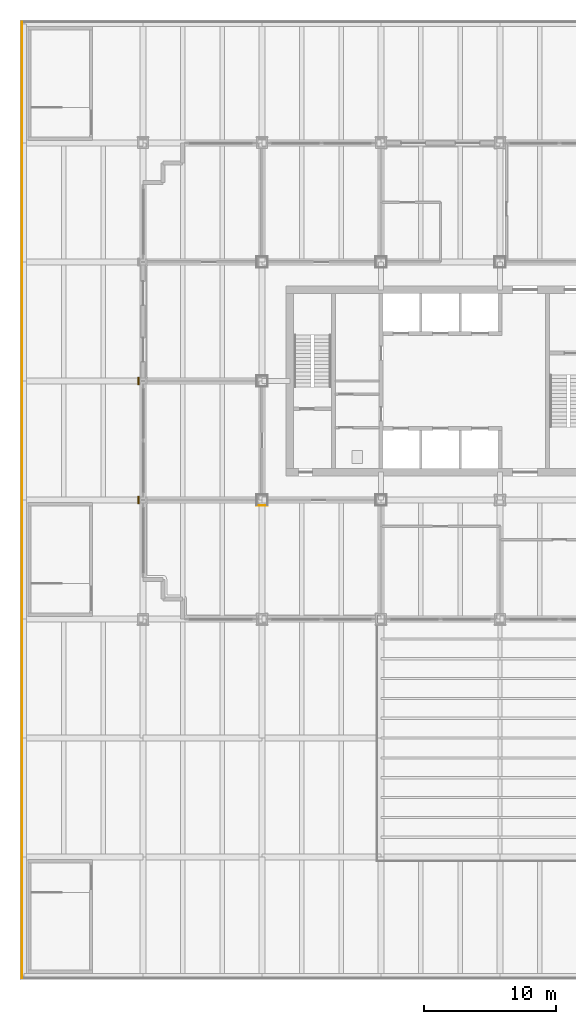
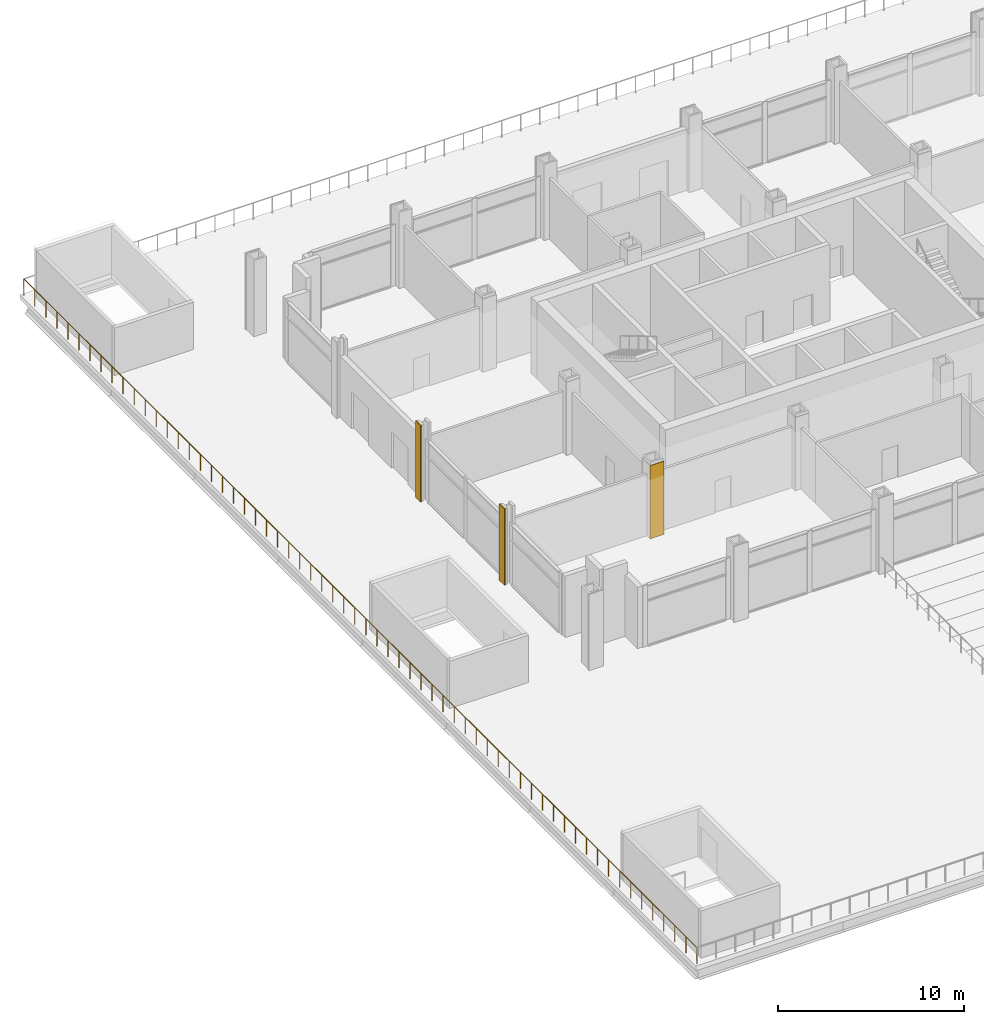
# One storey, part 13 of 16: 3 coverings, 1 railing.
"""IFC4 building model written with IfcOpenShell, lengths in metres."""

from ifc_helpers import new_model, si_unit, direction, frame, origin, origin_2d, place, context, subcontext, project, spatial, rectangle, circle, extrude, material, layer, layer_set, type_object, element, save


model = new_model("IFC4")

# Units and contexts
model_context = context("Model", 3, precision=1e-05, world=origin(), true_north=direction((0.0, 1.0)))
body_context = subcontext(model_context, "Body", "Model", "MODEL_VIEW")
ifc_project = project(units=[si_unit("LENGTHUNIT", "METRE"), si_unit("AREAUNIT", "SQUARE_METRE"), si_unit("VOLUMEUNIT", "CUBIC_METRE"), si_unit("PLANEANGLEUNIT", "RADIAN"), si_unit("MASSUNIT", "GRAM", prefix="KILO")], contexts=[model_context])

# Site, building, storey
site_placement = place(None, origin())
site = spatial("IfcSite", under=ifc_project, at=site_placement, CompositionType="ELEMENT")
building_placement = place(site_placement, origin())
building = spatial("IfcBuilding", under=site, at=building_placement, Name="Loomwork Tower", CompositionType="ELEMENT")
storey_placement = place(building_placement, frame((0.0, 0.0, 23.0)))
storey = spatial("IfcBuildingStorey", under=building, at=storey_placement, Name="L04", CompositionType="ELEMENT", Elevation=23.0)

# Covering
ifc_material_1 = material(Name="Two-hour fire-rated gypsum board casing")
ifc_layer_1 = layer(ifc_material_1, 0.02490234375)
ifc_layer_set_1 = layer_set([ifc_layer_1], Name="Column fire casing 25")
covering_type_1 = type_object("IfcCoveringType", Name="Column fire casing 25", PredefinedType="CLADDING", material=ifc_layer_set_1)
covering_placement = place(storey_placement, frame((9.0, 8.58740234375, 0.0), z_axis=(0.0, 0.0, 1.0), x_axis=(1.0, 0.0, 0.0)))
element("IfcCovering", 1, at=covering_placement, inside=storey, type_object=covering_type_1, Name="Column casing 9 9 L04", PredefinedType="CLADDING", context=body_context, shape_type="SweptSolid", body=[
    extrude(rectangle(XDim=0.85009765625, YDim=0.02490234375, at=origin_2d()), origin(), (0.0, 0.0, 1.0), 4.800048828125),
])

# Railing
ifc_material_2 = material(Name="Stainless steel and laminated glass guard", Category="steel")
railing_type = type_object("IfcRailingType", Name="Guard 1100", PredefinedType="GUARDRAIL", material=ifc_material_2)
railing_placement = place(storey_placement, frame((-9.14990234375, 45.14990234375, 0.0)))
element("IfcRailing", 2, at=railing_placement, inside=storey, type_object=railing_type, Name="Terrace edge guard W", PredefinedType="GUARDRAIL", context=body_context, shape_type="SweptSolid", body=[
    extrude(circle(Radius=0.02392578125, at=origin_2d()), frame((0.0, 0.0, 1.076171875), z_axis=(0.0, -1.0, 0.0), x_axis=(1.0, 0.0, 0.0)), (0.0, 0.0, 1.0), 72.2998046875),
    extrude(circle(Radius=0.02099609375, at=origin_2d()), origin(), (0.0, 0.0, 1.0), 1.052001953125),
    extrude(circle(Radius=0.02099609375, at=origin_2d()), frame((0.0, -1.185302734375, 0.0)), (0.0, 0.0, 1.0), 1.052001953125),
    extrude(circle(Radius=0.02099609375, at=origin_2d()), frame((0.0, -2.37060546875, 0.0)), (0.0, 0.0, 1.0), 1.052001953125),
    extrude(circle(Radius=0.02099609375, at=origin_2d()), frame((0.0, -3.5556640625, 0.0)), (0.0, 0.0, 1.0), 1.052001953125),
    extrude(circle(Radius=0.02099609375, at=origin_2d()), frame((0.0, -4.740966796875, 0.0)), (0.0, 0.0, 1.0), 1.052001953125),
    extrude(circle(Radius=0.02099609375, at=origin_2d()), frame((0.0, -5.92626953125, 0.0)), (0.0, 0.0, 1.0), 1.052001953125),
    extrude(circle(Radius=0.02099609375, at=origin_2d()), frame((0.0, -7.111572265625, 0.0)), (0.0, 0.0, 1.0), 1.052001953125),
    extrude(circle(Radius=0.02099609375, at=origin_2d()), frame((0.0, -8.296630859375, 0.0)), (0.0, 0.0, 1.0), 1.052001953125),
    extrude(circle(Radius=0.02099609375, at=origin_2d()), frame((0.0, -9.48193359375, 0.0)), (0.0, 0.0, 1.0), 1.052001953125),
    extrude(circle(Radius=0.02099609375, at=origin_2d()), frame((0.0, -10.667236328125, 0.0)), (0.0, 0.0, 1.0), 1.052001953125),
    extrude(circle(Radius=0.02099609375, at=origin_2d()), frame((0.0, -11.8525390625, 0.0)), (0.0, 0.0, 1.0), 1.052001953125),
    extrude(circle(Radius=0.02099609375, at=origin_2d()), frame((0.0, -13.03759765625, 0.0)), (0.0, 0.0, 1.0), 1.052001953125),
    extrude(circle(Radius=0.02099609375, at=origin_2d()), frame((0.0, -14.222900390625, 0.0)), (0.0, 0.0, 1.0), 1.052001953125),
    extrude(circle(Radius=0.02099609375, at=origin_2d()), frame((0.0, -15.408203125, 0.0)), (0.0, 0.0, 1.0), 1.052001953125),
    extrude(circle(Radius=0.02099609375, at=origin_2d()), frame((0.0, -16.593505859375, 0.0)), (0.0, 0.0, 1.0), 1.052001953125),
    extrude(circle(Radius=0.02099609375, at=origin_2d()), frame((0.0, -17.778564453125, 0.0)), (0.0, 0.0, 1.0), 1.052001953125),
    extrude(circle(Radius=0.02099609375, at=origin_2d()), frame((0.0, -18.9638671875, 0.0)), (0.0, 0.0, 1.0), 1.052001953125),
    extrude(circle(Radius=0.02099609375, at=origin_2d()), frame((0.0, -20.149169921875, 0.0)), (0.0, 0.0, 1.0), 1.052001953125),
    extrude(circle(Radius=0.02099609375, at=origin_2d()), frame((0.0, -21.33447265625, 0.0)), (0.0, 0.0, 1.0), 1.052001953125),
    extrude(circle(Radius=0.02099609375, at=origin_2d()), frame((0.0, -22.51953125, 0.0)), (0.0, 0.0, 1.0), 1.052001953125),
    extrude(circle(Radius=0.02099609375, at=origin_2d()), frame((0.0, -23.704833984375, 0.0)), (0.0, 0.0, 1.0), 1.052001953125),
    extrude(circle(Radius=0.02099609375, at=origin_2d()), frame((0.0, -24.89013671875, 0.0)), (0.0, 0.0, 1.0), 1.052001953125),
    extrude(circle(Radius=0.02099609375, at=origin_2d()), frame((0.0, -26.075439453125, 0.0)), (0.0, 0.0, 1.0), 1.052001953125),
    extrude(circle(Radius=0.02099609375, at=origin_2d()), frame((0.0, -27.260498046875, 0.0)), (0.0, 0.0, 1.0), 1.052001953125),
    extrude(circle(Radius=0.02099609375, at=origin_2d()), frame((0.0, -28.44580078125, 0.0)), (0.0, 0.0, 1.0), 1.052001953125),
    extrude(circle(Radius=0.02099609375, at=origin_2d()), frame((0.0, -29.631103515625, 0.0)), (0.0, 0.0, 1.0), 1.052001953125),
    extrude(circle(Radius=0.02099609375, at=origin_2d()), frame((0.0, -30.81640625, 0.0)), (0.0, 0.0, 1.0), 1.052001953125),
    extrude(circle(Radius=0.02099609375, at=origin_2d()), frame((0.0, -32.00146484375, 0.0)), (0.0, 0.0, 1.0), 1.052001953125),
    extrude(circle(Radius=0.02099609375, at=origin_2d()), frame((0.0, -33.186767578125, 0.0)), (0.0, 0.0, 1.0), 1.052001953125),
    extrude(circle(Radius=0.02099609375, at=origin_2d()), frame((0.0, -34.3720703125, 0.0)), (0.0, 0.0, 1.0), 1.052001953125),
    extrude(circle(Radius=0.02099609375, at=origin_2d()), frame((0.0, -35.557373046875, 0.0)), (0.0, 0.0, 1.0), 1.052001953125),
    extrude(circle(Radius=0.02099609375, at=origin_2d()), frame((0.0, -36.742431640625, 0.0)), (0.0, 0.0, 1.0), 1.052001953125),
    extrude(circle(Radius=0.02099609375, at=origin_2d()), frame((0.0, -37.927734375, 0.0)), (0.0, 0.0, 1.0), 1.052001953125),
    extrude(circle(Radius=0.02099609375, at=origin_2d()), frame((0.0, -39.113037109375, 0.0)), (0.0, 0.0, 1.0), 1.052001953125),
    extrude(circle(Radius=0.02099609375, at=origin_2d()), frame((0.0, -40.29833984375, 0.0)), (0.0, 0.0, 1.0), 1.052001953125),
    extrude(circle(Radius=0.02099609375, at=origin_2d()), frame((0.0, -41.4833984375, 0.0)), (0.0, 0.0, 1.0), 1.052001953125),
    extrude(circle(Radius=0.02099609375, at=origin_2d()), frame((0.0, -42.668701171875, 0.0)), (0.0, 0.0, 1.0), 1.052001953125),
    extrude(circle(Radius=0.02099609375, at=origin_2d()), frame((0.0, -43.85400390625, 0.0)), (0.0, 0.0, 1.0), 1.052001953125),
    extrude(circle(Radius=0.02099609375, at=origin_2d()), frame((0.0, -45.039306640625, 0.0)), (0.0, 0.0, 1.0), 1.052001953125),
    extrude(circle(Radius=0.02099609375, at=origin_2d()), frame((0.0, -46.224365234375, 0.0)), (0.0, 0.0, 1.0), 1.052001953125),
    extrude(circle(Radius=0.02099609375, at=origin_2d()), frame((0.0, -47.40966796875, 0.0)), (0.0, 0.0, 1.0), 1.052001953125),
    extrude(circle(Radius=0.02099609375, at=origin_2d()), frame((0.0, -48.594970703125, 0.0)), (0.0, 0.0, 1.0), 1.052001953125),
    extrude(circle(Radius=0.02099609375, at=origin_2d()), frame((0.0, -49.7802734375, 0.0)), (0.0, 0.0, 1.0), 1.052001953125),
    extrude(circle(Radius=0.02099609375, at=origin_2d()), frame((0.0, -50.96533203125, 0.0)), (0.0, 0.0, 1.0), 1.052001953125),
    extrude(circle(Radius=0.02099609375, at=origin_2d()), frame((0.0, -52.150634765625, 0.0)), (0.0, 0.0, 1.0), 1.052001953125),
    extrude(circle(Radius=0.02099609375, at=origin_2d()), frame((0.0, -53.3359375, 0.0)), (0.0, 0.0, 1.0), 1.052001953125),
    extrude(circle(Radius=0.02099609375, at=origin_2d()), frame((0.0, -54.521240234375, 0.0)), (0.0, 0.0, 1.0), 1.052001953125),
    extrude(circle(Radius=0.02099609375, at=origin_2d()), frame((0.0, -55.706298828125, 0.0)), (0.0, 0.0, 1.0), 1.052001953125),
    extrude(circle(Radius=0.02099609375, at=origin_2d()), frame((0.0, -56.8916015625, 0.0)), (0.0, 0.0, 1.0), 1.052001953125),
    extrude(circle(Radius=0.02099609375, at=origin_2d()), frame((0.0, -58.076904296875, 0.0)), (0.0, 0.0, 1.0), 1.052001953125),
    extrude(circle(Radius=0.02099609375, at=origin_2d()), frame((0.0, -59.26220703125, 0.0)), (0.0, 0.0, 1.0), 1.052001953125),
    extrude(circle(Radius=0.02099609375, at=origin_2d()), frame((0.0, -60.447265625, 0.0)), (0.0, 0.0, 1.0), 1.052001953125),
    extrude(circle(Radius=0.02099609375, at=origin_2d()), frame((0.0, -61.632568359375, 0.0)), (0.0, 0.0, 1.0), 1.052001953125),
    extrude(circle(Radius=0.02099609375, at=origin_2d()), frame((0.0, -62.81787109375, 0.0)), (0.0, 0.0, 1.0), 1.052001953125),
    extrude(circle(Radius=0.02099609375, at=origin_2d()), frame((0.0, -64.003173828125, 0.0)), (0.0, 0.0, 1.0), 1.052001953125),
    extrude(circle(Radius=0.02099609375, at=origin_2d()), frame((0.0, -65.188232421875, 0.0)), (0.0, 0.0, 1.0), 1.052001953125),
    extrude(circle(Radius=0.02099609375, at=origin_2d()), frame((0.0, -66.37353515625, 0.0)), (0.0, 0.0, 1.0), 1.052001953125),
    extrude(circle(Radius=0.02099609375, at=origin_2d()), frame((0.0, -67.558837890625, 0.0)), (0.0, 0.0, 1.0), 1.052001953125),
    extrude(circle(Radius=0.02099609375, at=origin_2d()), frame((0.0, -68.744140625, 0.0)), (0.0, 0.0, 1.0), 1.052001953125),
    extrude(circle(Radius=0.02099609375, at=origin_2d()), frame((0.0, -69.92919921875, 0.0)), (0.0, 0.0, 1.0), 1.052001953125),
    extrude(circle(Radius=0.02099609375, at=origin_2d()), frame((0.0, -71.114501953125, 0.0)), (0.0, 0.0, 1.0), 1.052001953125),
    extrude(circle(Radius=0.02099609375, at=origin_2d()), frame((0.0, -72.2998046875, 0.0)), (0.0, 0.0, 1.0), 1.052001953125),
])

# Coverings
ifc_material_3 = material(Name="Limestone", Category="masonry")
ifc_layer_2 = layer(ifc_material_3, 0.080078125)
ifc_layer_set_2 = layer_set([ifc_layer_2], Name="Limestone pier facing 80")
covering_type_2 = type_object("IfcCoveringType", Name="Limestone pier facing 80", PredefinedType="CLADDING", material=ifc_layer_set_2)
for number, where, z_axis, x_axis, name in (
    (3, (-0.339599609375, 9.0, 0.0), (0.0, 0.0, 1.0), (1.0, 0.0, 0.0), "Pier facing E/2 L04"),
    (4, (-0.339599609375, 18.0, 0.0), (0.0, 0.0, 1.0), (1.0, 0.0, 0.0), "Pier facing F/2 L04"),
):
    element("IfcCovering", number, at=place(storey_placement, frame(where, z_axis=z_axis, x_axis=x_axis)), inside=storey, type_object=covering_type_2, Name=name, PredefinedType="CLADDING", context=body_context, shape_type="SweptSolid", body=[
        extrude(rectangle(XDim=0.080078125, YDim=0.577392578125, at=origin_2d()), origin(), (0.0, 0.0, 1.0), 5.0),
    ])

save(model, "model.ifc")
